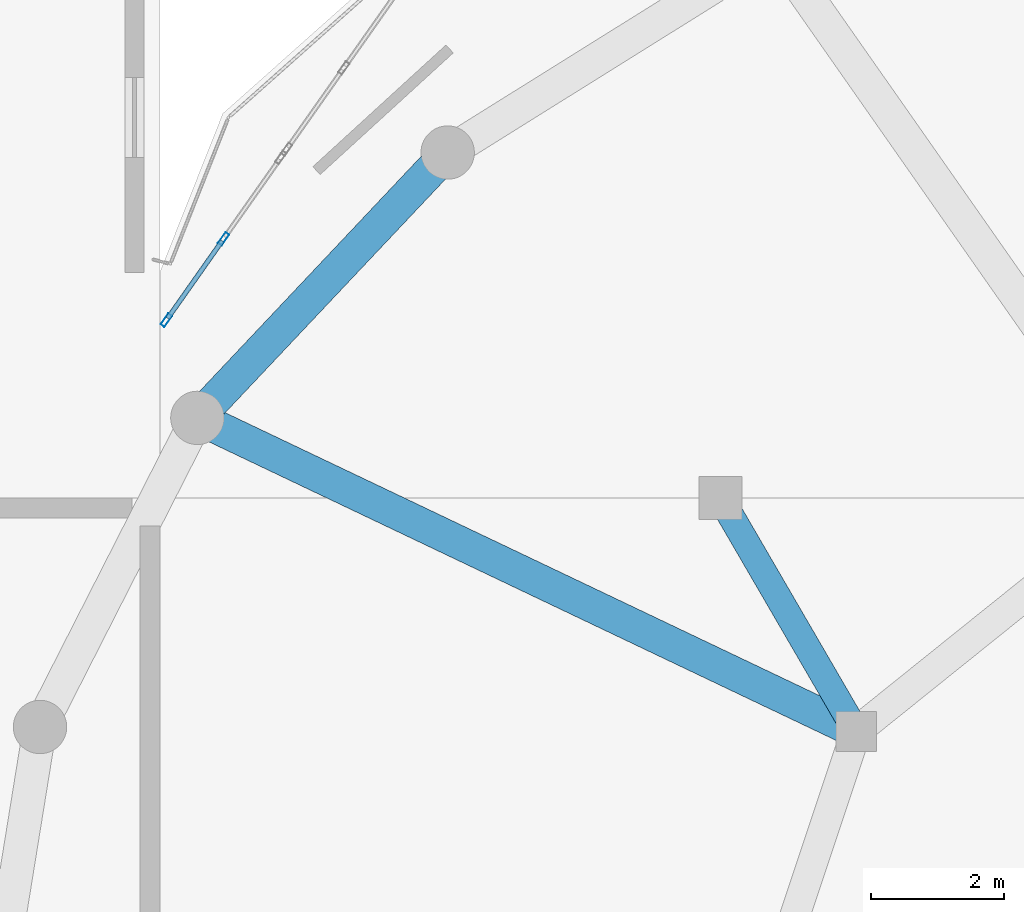
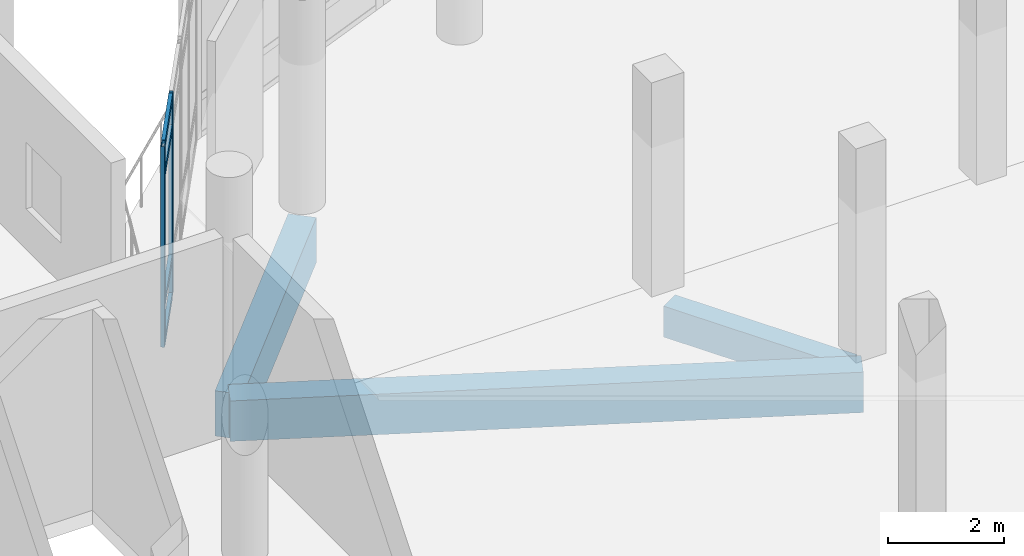
# One storey, part 10 of 46: 6 members, 3 beams, 1 element without a shape of its own.
"""IFC4 building model written with IfcOpenShell, lengths in metres."""

from ifc_helpers import new_model, si_unit, derived_unit, direction, frame, origin, origin_2d, place, context, subcontext, project, spatial, rectangle, hollow_rectangle, extrude, material, layer, layer_set, material_profile, profile_set, type_object, element, aggregate, save


model = new_model("IFC4")

# Units and contexts
model_context = context("Model", 3, precision=1e-05, world=origin(), true_north=direction((0.0, 1.0)))
body_context = subcontext(model_context, "Body", "Model", "MODEL_VIEW")
ifc_project = project(units=[si_unit("LENGTHUNIT", "METRE"), si_unit("AREAUNIT", "SQUARE_METRE"), si_unit("VOLUMEUNIT", "CUBIC_METRE"), si_unit("PLANEANGLEUNIT", "RADIAN"), si_unit("MASSUNIT", "GRAM", prefix="KILO"), derived_unit("THERMALTRANSMITTANCEUNIT", [(si_unit("POWERUNIT", "WATT"), 1), (si_unit("LENGTHUNIT", "METRE"), -2), (si_unit("THERMODYNAMICTEMPERATUREUNIT", "KELVIN"), -1)])], contexts=[model_context])

# Site, building, storey
site_placement = place(None, origin())
site = spatial("IfcSite", under=ifc_project, at=site_placement, CompositionType="ELEMENT")
building_placement = place(site_placement, origin())
building = spatial("IfcBuilding", under=site, at=building_placement, Name="Elbkamm Science Centre", CompositionType="ELEMENT")
storey_placement = place(building_placement, frame((0.0, 0.0, 9.89990234375)))
storey = spatial("IfcBuildingStorey", under=building, at=storey_placement, Name="L02", CompositionType="ELEMENT", Elevation=9.89990234375)

# Beams
ifc_material_1 = material(Name="Concrete C40/50", Category="concrete")
ifc_material_profile_1 = material_profile(ifc_material_1, rectangle(XDim=0.39990234375, YDim=0.64990234375, at=origin_2d()), Name="RC 400x650")
ifc_profile_set_1 = profile_set([ifc_material_profile_1], Name="Concrete C40/50")
beam_type_1 = type_object("IfcBeamType", Name="BM-RC-400x650", PredefinedType="BEAM", material=ifc_profile_set_1)
beam_1_placement = place(storey_placement, frame((50.510498046875, 75.409912109375, -0.625), z_axis=(0.502465212806, -0.864597426506, 0.0), x_axis=(0.864597426506, 0.502465212806, 0.0)))
element("IfcBeam", 1, at=beam_1_placement, inside=storey, type_object=beam_type_1, Name="L02 Perimeter Ring Tie Girder 044", PredefinedType="BEAM", context=body_context, shape_type="SweptSolid", body=[
    extrude(rectangle(XDim=0.39990234375, YDim=0.64990234375, at=origin_2d()), origin(), (0.0, 0.0, 1.0), 3.608154296875),
])
ifc_material_profile_2 = material_profile(ifc_material_1, rectangle(XDim=0.5, YDim=0.85009765625, at=origin_2d()), Name="RC 500x850")
ifc_profile_set_2 = profile_set([ifc_material_profile_2], Name="Concrete C40/50")
beam_type_2 = type_object("IfcBeamType", Name="BM-RC-500x850", PredefinedType="BEAM", material=ifc_profile_set_2)
beam_2_placement = place(storey_placement, frame((52.43408203125, 72.10009765625, -0.724853515625), z_axis=(-0.902897249077, 0.429856438371, 0.0), x_axis=(-0.429856438371, -0.902897249077, 0.0)))
element("IfcBeam", 2, at=beam_2_placement, inside=storey, type_object=beam_type_2, Name="L02 Elliptical Radial Girder 06", PredefinedType="BEAM", context=body_context, shape_type="SweptSolid", body=[
    extrude(rectangle(XDim=0.5, YDim=0.85009765625, at=origin_2d()), origin(), (0.0, 0.0, 1.0), 10.933837890625),
])
ifc_material_profile_3 = material_profile(ifc_material_1, rectangle(XDim=0.5, YDim=0.949951171875, at=origin_2d()), Name="RC 500x950")
ifc_profile_set_3 = profile_set([ifc_material_profile_3], Name="Concrete C40/50")
beam_type_3 = type_object("IfcBeamType", Name="BM-RC-500x950", PredefinedType="BEAM", material=ifc_profile_set_3)
beam_3_placement = place(storey_placement, frame((46.31201171875, 80.77587890625, -0.77490234375), z_axis=(-0.686144611421, -0.727465169075, 0.0), x_axis=(0.727465169075, -0.686144611421, 0.0)))
element("IfcBeam", 3, at=beam_3_placement, inside=storey, type_object=beam_type_3, Name="L02 Elliptical Shell Perimeter Ring Beam 10", PredefinedType="SPANDREL", context=body_context, shape_type="SweptSolid", body=[
    extrude(rectangle(XDim=0.5, YDim=0.949951171875, at=origin_2d()), origin(), (0.0, 0.0, 1.0), 5.46533203125),
])

# Curtain wall, members
ifc_material_2 = material(Name="Powder-coated aluminium and triple low-E glazing", Category="aluminium")
ifc_layer = layer(ifc_material_2, 0.159912109375)
ifc_layer_set = layer_set([ifc_layer], Name="Powder-coated aluminium and triple low-E glazing")
curtain_wall_type = type_object("IfcCurtainWallType", Name="CW-UNIT-3060x4220", PredefinedType="USERDEFINED", material=ifc_layer_set)
curtain_wall_placement = place(storey_placement, origin())
curtain_wall = element("IfcCurtainWall", 4, at=curtain_wall_placement, inside=storey, type_object=curtain_wall_type, Name="L02 Unitised Curtain Wall 035", ObjectType="UNITISED CURTAIN WALL", PredefinedType="USERDEFINED")
ifc_material_3 = material(Name="Powder-coated aluminium EN AW-6060", Category="aluminium")
ifc_material_profile_4 = material_profile(ifc_material_3, hollow_rectangle(XDim=0.070068359375, YDim=0.199951171875, WallThickness=0.00439453125, at=origin_2d()), Name="ALU M70x200")
ifc_profile_set_4 = profile_set([ifc_material_profile_4], Name="Powder-coated aluminium EN AW-6060")
member_type_1 = type_object("IfcMemberType", Name="CW-MUL-70x200", PredefinedType="MULLION", material=ifc_profile_set_4)
member_1_placement = place(storey_placement, frame((42.954345703125, 79.482177734375, 0.0), z_axis=(0.0, 0.0, 1.0), x_axis=(0.817694968929, -0.575651750443, 0.0)))
member_1 = element("IfcMember", 5, at=member_1_placement, type_object=member_type_1, Name="CW-012 mullion 2", PredefinedType="MULLION", context=body_context, shape_type="SweptSolid", body=[
    extrude(hollow_rectangle(XDim=0.070068359375, YDim=0.199951171875, WallThickness=0.00439453125, at=origin_2d()), origin(), (0.0, 0.0, 1.0), 4.22021484375),
])
member_2_placement = place(storey_placement, frame((42.096435546875, 78.263671875, 0.0), z_axis=(0.0, 0.0, 1.0), x_axis=(0.817694968929, -0.575651750443, 0.0)))
member_2 = element("IfcMember", 6, at=member_2_placement, type_object=member_type_1, Name="CW-012 mullion 3", PredefinedType="MULLION", context=body_context, shape_type="SweptSolid", body=[
    extrude(hollow_rectangle(XDim=0.070068359375, YDim=0.199951171875, WallThickness=0.00439453125, at=origin_2d()), origin(), (0.0, 0.0, 1.0), 4.22021484375),
])
ifc_material_profile_5 = material_profile(ifc_material_3, hollow_rectangle(XDim=0.070068359375, YDim=0.14990234375, WallThickness=0.00390625, at=origin_2d()), Name="ALU T70x150")
ifc_profile_set_5 = profile_set([ifc_material_profile_5], Name="Powder-coated aluminium EN AW-6060")
member_type_2 = type_object("IfcMemberType", Name="CW-TRN-70x150", PredefinedType="USERDEFINED", material=ifc_profile_set_5)
member_3_placement = place(storey_placement, frame((42.93408203125, 79.453369140625, 0.03515625), z_axis=(-0.575629682216, -0.817710504367, 0.0), x_axis=(0.817710504367, -0.575629682216, 0.0)))
member_3 = element("IfcMember", 7, at=member_3_placement, type_object=member_type_2, Name="CW-012 transom 2.1", ObjectType="TRANSOM", PredefinedType="USERDEFINED", context=body_context, shape_type="SweptSolid", body=[
    extrude(hollow_rectangle(XDim=0.070068359375, YDim=0.14990234375, WallThickness=0.00390625, at=origin_2d()), origin(), (0.0, 0.0, 1.0), 1.419921875),
])
member_4_placement = place(storey_placement, frame((42.93408203125, 79.453369140625, 0.85009765625), z_axis=(-0.575629682216, -0.817710504367, 0.0), x_axis=(0.817710504367, -0.575629682216, 0.0)))
member_4 = element("IfcMember", 8, at=member_4_placement, type_object=member_type_2, Name="CW-012 transom 2.2", ObjectType="TRANSOM", PredefinedType="USERDEFINED", context=body_context, shape_type="SweptSolid", body=[
    extrude(hollow_rectangle(XDim=0.070068359375, YDim=0.14990234375, WallThickness=0.00390625, at=origin_2d()), origin(), (0.0, 0.0, 1.0), 1.419921875),
])
member_5_placement = place(storey_placement, frame((42.93408203125, 79.453369140625, 3.570068359375), z_axis=(-0.575629682216, -0.817710504367, 0.0), x_axis=(0.817710504367, -0.575629682216, 0.0)))
member_5 = element("IfcMember", 9, at=member_5_placement, type_object=member_type_2, Name="CW-012 transom 2.3", ObjectType="TRANSOM", PredefinedType="USERDEFINED", context=body_context, shape_type="SweptSolid", body=[
    extrude(hollow_rectangle(XDim=0.070068359375, YDim=0.14990234375, WallThickness=0.00390625, at=origin_2d()), origin(), (0.0, 0.0, 1.0), 1.419921875),
])
member_6_placement = place(storey_placement, frame((42.93408203125, 79.453369140625, 4.18505859375), z_axis=(-0.575629682216, -0.817710504367, 0.0), x_axis=(0.817710504367, -0.575629682216, 0.0)))
member_6 = element("IfcMember", 10, at=member_6_placement, type_object=member_type_2, Name="CW-012 transom 2.4", ObjectType="TRANSOM", PredefinedType="USERDEFINED", context=body_context, shape_type="SweptSolid", body=[
    extrude(hollow_rectangle(XDim=0.070068359375, YDim=0.14990234375, WallThickness=0.00390625, at=origin_2d()), origin(), (0.0, 0.0, 1.0), 1.419921875),
])
aggregate(curtain_wall, [member_1, member_2, member_3, member_4, member_5, member_6])

save(model, "model.ifc")
